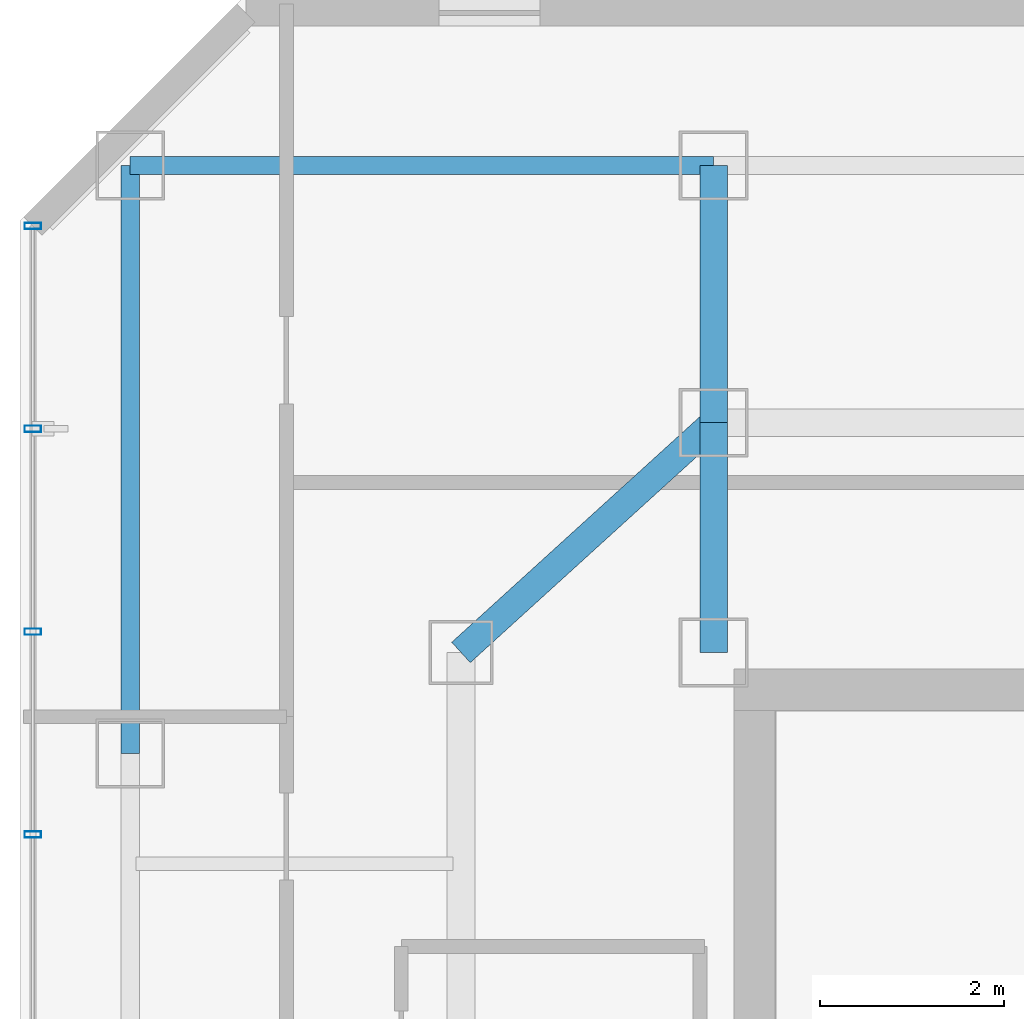
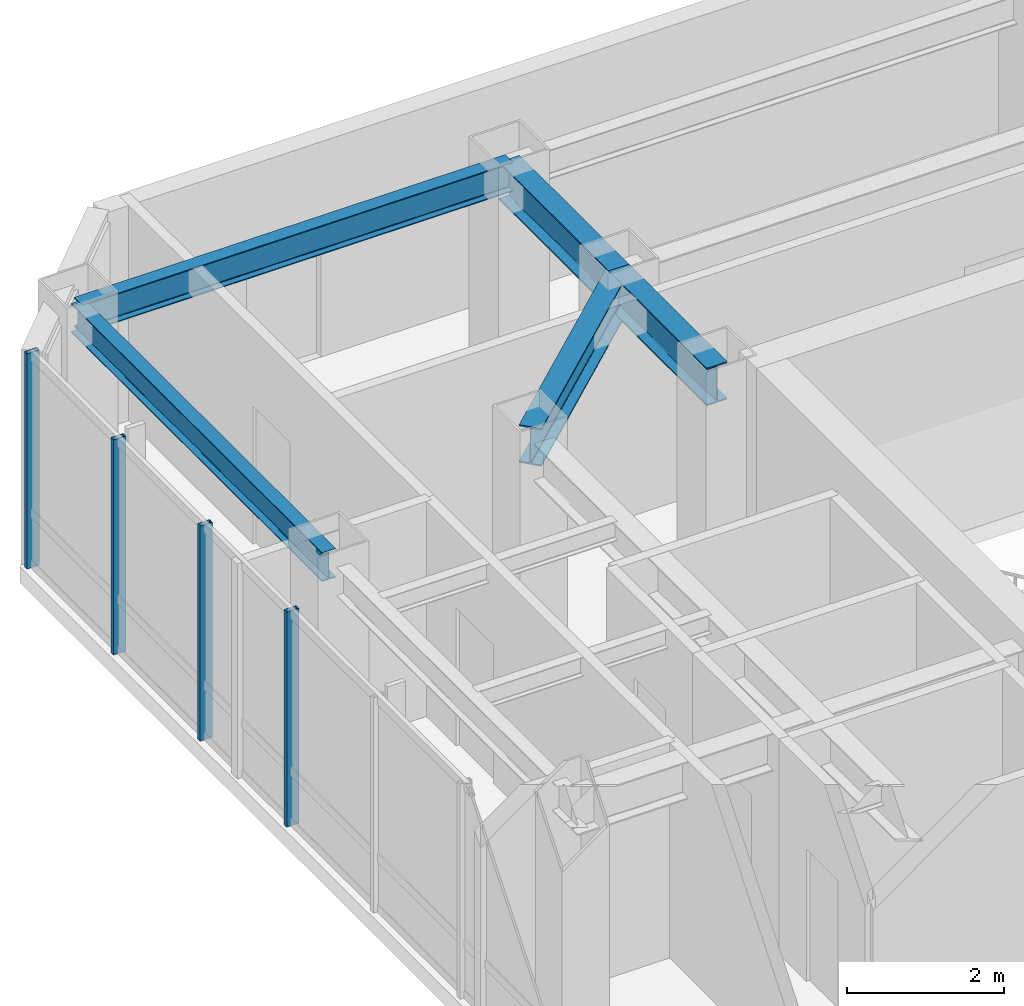
# One storey, part 15 of 26: 5 beams, 4 members, 1 element without a shape of its own.
"""IFC4 building model written with IfcOpenShell, lengths in metres."""

from ifc_helpers import new_model, si_unit, direction, frame, origin, origin_2d, place, context, subcontext, project, spatial, hollow_rectangle, i_section, extrude, material, layer, layer_set, material_profile, profile_set, type_object, element, aggregate, save


model = new_model("IFC4")

# Units and contexts
model_context = context("Model", 3, precision=1e-05, world=origin(), true_north=direction((0.0, 1.0)))
body_context = subcontext(model_context, "Body", "Model", "MODEL_VIEW")
ifc_project = project(units=[si_unit("LENGTHUNIT", "METRE"), si_unit("AREAUNIT", "SQUARE_METRE"), si_unit("VOLUMEUNIT", "CUBIC_METRE"), si_unit("PLANEANGLEUNIT", "RADIAN"), si_unit("MASSUNIT", "GRAM", prefix="KILO")], contexts=[model_context])

# Site, building, storey
site_placement = place(None, origin())
site = spatial("IfcSite", under=ifc_project, at=site_placement, CompositionType="ELEMENT")
building_placement = place(site_placement, origin())
building = spatial("IfcBuilding", under=site, at=building_placement, Name="Hatsunagi Terrace Concourse", CompositionType="ELEMENT")
storey_placement = place(building_placement, frame((0.0, 0.0, 198.75)))
storey = spatial("IfcBuildingStorey", under=building, at=storey_placement, Name="L52", CompositionType="ELEMENT", Elevation=198.75)

# Curtain wall, members
ifc_material_1 = material(Name="Anodised Aluminium Alloy 6063-T5", Category="aluminium")
ifc_layer = layer(ifc_material_1, 0.199951171875)
ifc_layer_set = layer_set([ifc_layer], Name="OfficeZone2_CW04")
curtain_wall_type = type_object("IfcCurtainWallType", Name="OfficeZone2_CW04", PredefinedType="NOTDEFINED", material=ifc_layer_set)
curtain_wall_placement = place(storey_placement, origin())
curtain_wall = element("IfcCurtainWall", 1, at=curtain_wall_placement, inside=storey, type_object=curtain_wall_type, Name="Unitised Curtain Wall CW-04 CW-L52-08", PredefinedType="NOTDEFINED")
ifc_material_2 = material(Name="Anodised Aluminium Alloy 6063-T5", Category="aluminium")
ifc_material_profile_1 = material_profile(ifc_material_2, hollow_rectangle(XDim=0.070068359375, YDim=0.179931640625, WallThickness=0.00390625, at=origin_2d()), Name="ALU-MUL-180x70x4")
ifc_profile_set_1 = profile_set([ifc_material_profile_1], Name="Anodised Aluminium Alloy 6063-T5")
member_type = type_object("IfcMemberType", Name="CurtainWallMullion_180x70", PredefinedType="MULLION", material=ifc_profile_set_1)
member_1_placement = place(storey_placement, frame((18.139892578125, 41.31689453125, 0.0), z_axis=(0.0, 0.0, 1.0), x_axis=(0.0, 1.0, 0.0)))
member_1 = element("IfcMember", 2, at=member_1_placement, type_object=member_type, Name="Curtain Wall Mullion MUL-02", PredefinedType="MULLION", context=body_context, shape_type="SweptSolid", body=[
    extrude(hollow_rectangle(XDim=0.070068359375, YDim=0.179931640625, WallThickness=0.00390625, at=origin_2d()), origin(), (0.0, 0.0, 1.0), 3.35009765625),
])
member_2_placement = place(storey_placement, frame((18.139892578125, 43.52490234375, 0.0), z_axis=(0.0, 0.0, 1.0), x_axis=(0.0, 1.0, 0.0)))
member_2 = element("IfcMember", 3, at=member_2_placement, type_object=member_type, Name="Curtain Wall Mullion MUL-02", PredefinedType="MULLION", context=body_context, shape_type="SweptSolid", body=[
    extrude(hollow_rectangle(XDim=0.070068359375, YDim=0.179931640625, WallThickness=0.00390625, at=origin_2d()), origin(), (0.0, 0.0, 1.0), 3.35009765625),
])
member_3_placement = place(storey_placement, frame((18.139892578125, 45.73388671875, 0.0), z_axis=(0.0, 0.0, 1.0), x_axis=(0.0, 1.0, 0.0)))
member_3 = element("IfcMember", 4, at=member_3_placement, type_object=member_type, Name="Curtain Wall Mullion MUL-02", PredefinedType="MULLION", context=body_context, shape_type="SweptSolid", body=[
    extrude(hollow_rectangle(XDim=0.070068359375, YDim=0.179931640625, WallThickness=0.00390625, at=origin_2d()), origin(), (0.0, 0.0, 1.0), 3.35009765625),
])
member_4_placement = place(storey_placement, frame((18.139892578125, 47.94189453125, 0.0), z_axis=(0.0, 0.0, 1.0), x_axis=(0.0, 1.0, 0.0)))
member_4 = element("IfcMember", 5, at=member_4_placement, type_object=member_type, Name="Curtain Wall Mullion MUL-02", PredefinedType="MULLION", context=body_context, shape_type="SweptSolid", body=[
    extrude(hollow_rectangle(XDim=0.070068359375, YDim=0.179931640625, WallThickness=0.00390625, at=origin_2d()), origin(), (0.0, 0.0, 1.0), 3.35009765625),
])
aggregate(curtain_wall, [member_1, member_2, member_3, member_4])

# Beams
ifc_material_3 = material(Name="Steel SN490B", Category="steel")
ifc_material_profile_2 = material_profile(ifc_material_3, i_section(OverallWidth=0.300048828125, OverallDepth=0.587890625, WebThickness=0.011962890625, FlangeThickness=0.02001953125, FilletRadius=0.01806640625, at=origin_2d()), Name="H-588x300x12x20")
ifc_profile_set_2 = profile_set([ifc_material_profile_2], Name="Steel SN490B")
beam_type_1 = type_object("IfcBeamType", Name="OfficeHighGirder_H_588x300", PredefinedType="BEAM", material=ifc_profile_set_2)
beam_1_placement = place(storey_placement, frame((25.550048828125, 43.300048828125, 3.055908203125), z_axis=(0.0, 1.0, 0.0), x_axis=(-1.0, 0.0, 0.0)))
element("IfcBeam", 6, at=beam_1_placement, inside=storey, type_object=beam_type_1, Name="Beam G-06 BM-L52-CN1", PredefinedType="BEAM", context=body_context, shape_type="SweptSolid", body=[
    extrude(i_section(OverallWidth=0.300048828125, OverallDepth=0.587890625, WebThickness=0.011962890625, FlangeThickness=0.02001953125, FilletRadius=0.01806640625, at=origin_2d()), origin(), (0.0, 0.0, 1.0), 2.5),
])
beam_2_placement = place(storey_placement, frame((25.550048828125, 45.800048828125, 3.055908203125), z_axis=(0.0, 1.0, 0.0), x_axis=(-1.0, 0.0, 0.0)))
element("IfcBeam", 7, at=beam_2_placement, inside=storey, type_object=beam_type_1, Name="Beam G-06 BM-L52-KN-WN4", PredefinedType="BEAM", context=body_context, shape_type="SweptSolid", body=[
    extrude(i_section(OverallWidth=0.300048828125, OverallDepth=0.587890625, WebThickness=0.011962890625, FlangeThickness=0.02001953125, FilletRadius=0.01806640625, at=origin_2d()), origin(), (0.0, 0.0, 1.0), 2.800048828125),
])
beam_3_placement = place(storey_placement, frame((22.800048828125, 43.300048828125, 3.055908203125), z_axis=(0.739940073396, 0.672672793996, 0.0), x_axis=(-0.672672793996, 0.739940073396, 0.0)))
element("IfcBeam", 8, at=beam_3_placement, inside=storey, type_object=beam_type_1, Name="Beam G-06 BM-L52-CWEW-N", PredefinedType="BEAM", context=body_context, shape_type="SweptSolid", body=[
    extrude(i_section(OverallWidth=0.300048828125, OverallDepth=0.587890625, WebThickness=0.011962890625, FlangeThickness=0.02001953125, FilletRadius=0.01806640625, at=origin_2d()), origin(), (0.0, 0.0, 1.0), 3.716552734375),
])
ifc_material_4 = material(Name="Steel SN490B", Category="steel")
ifc_material_profile_3 = material_profile(ifc_material_4, i_section(OverallWidth=0.199951171875, OverallDepth=0.449951171875, WebThickness=0.009033203125, FlangeThickness=0.013916015625, FilletRadius=0.01611328125, at=origin_2d()), Name="H-450x200x9x14")
ifc_profile_set_3 = profile_set([ifc_material_profile_3], Name="Steel SN490B")
beam_type_2 = type_object("IfcBeamType", Name="PerimeterSpandrel_H_450x200", PredefinedType="SPANDREL", material=ifc_profile_set_3)
beam_4_placement = place(storey_placement, frame((19.199951171875, 48.60009765625, 3.125), z_axis=(1.0, 0.0, 0.0), x_axis=(0.0, 1.0, 0.0)))
element("IfcBeam", 9, at=beam_4_placement, inside=storey, type_object=beam_type_2, Name="Beam SP-02 BM-L52-WN-19", PredefinedType="SPANDREL", context=body_context, shape_type="SweptSolid", body=[
    extrude(i_section(OverallWidth=0.199951171875, OverallDepth=0.449951171875, WebThickness=0.009033203125, FlangeThickness=0.013916015625, FilletRadius=0.01611328125, at=origin_2d()), origin(), (0.0, 0.0, 1.0), 6.35009765625),
])
beam_5_placement = place(storey_placement, frame((19.199951171875, 42.199951171875, 3.125), z_axis=(0.0, 1.0, 0.0), x_axis=(-1.0, 0.0, 0.0)))
element("IfcBeam", 10, at=beam_5_placement, inside=storey, type_object=beam_type_2, Name="Beam SP-02 BM-L52-NS-19-42", PredefinedType="SPANDREL", context=body_context, shape_type="SweptSolid", body=[
    extrude(i_section(OverallWidth=0.199951171875, OverallDepth=0.449951171875, WebThickness=0.009033203125, FlangeThickness=0.013916015625, FilletRadius=0.01611328125, at=origin_2d()), origin(), (0.0, 0.0, 1.0), 6.400146484375),
])

save(model, "model.ifc")
